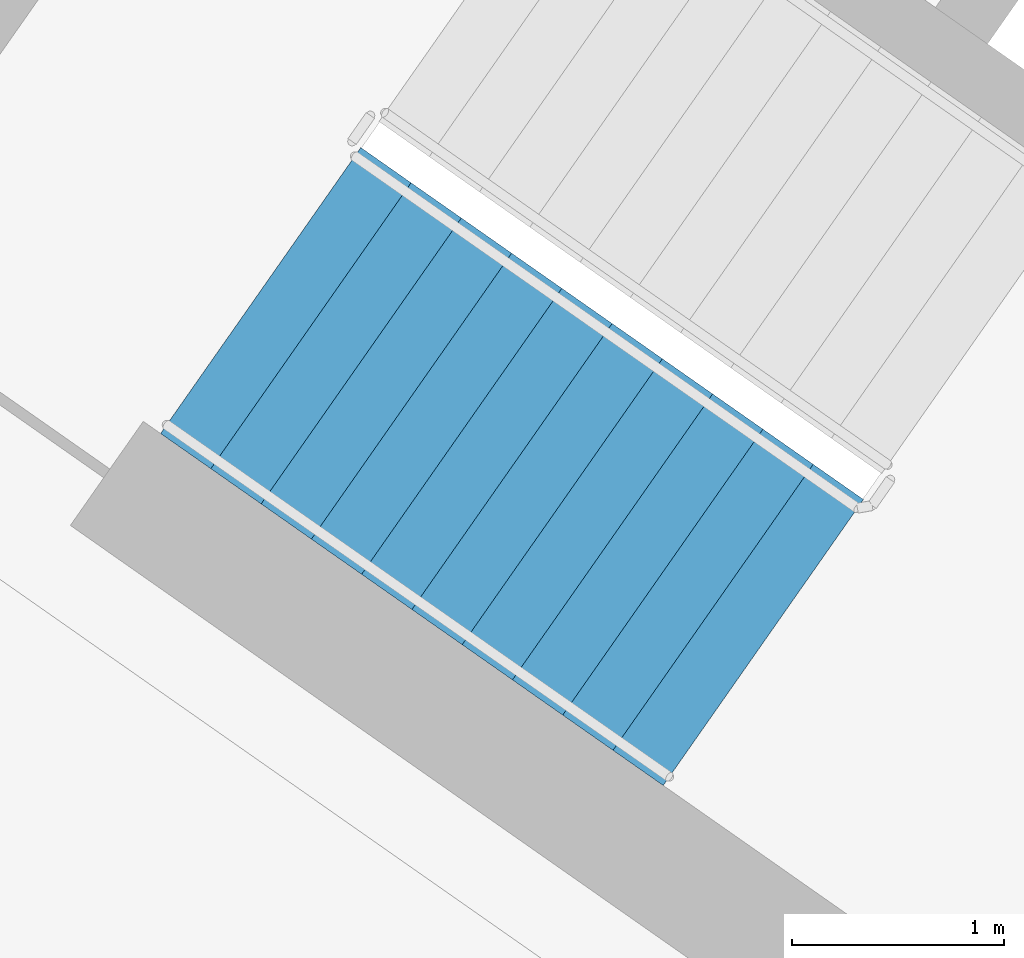
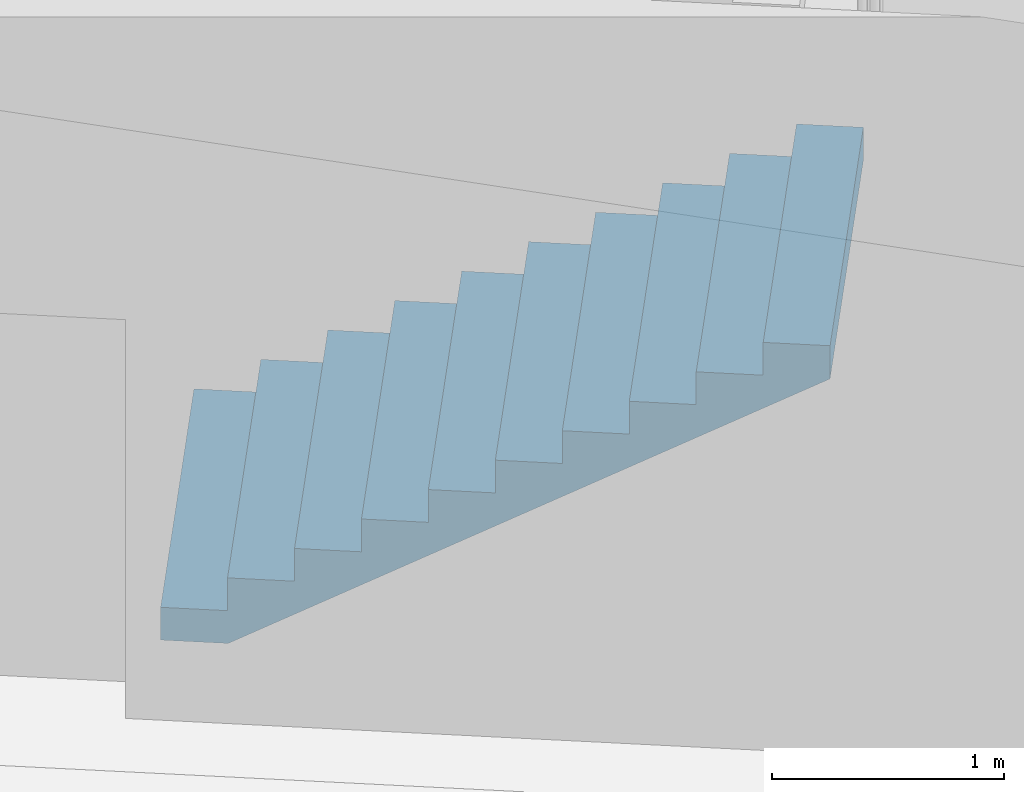
# One storey, part 11 of 26: 1 stair flight, 1 element without a shape of its own.
"""IFC4 building model written with IfcOpenShell, lengths in metres."""

from ifc_helpers import new_model, si_unit, direction, frame, origin, place, context, subcontext, project, spatial, faceted_brep, material, type_object, element, aggregate, save


model = new_model("IFC4")

# Units and contexts
model_context = context("Model", 3, precision=1e-05, world=origin(), true_north=direction((0.0, 1.0)))
body_context = subcontext(model_context, "Body", "Model", "MODEL_VIEW")
ifc_project = project(units=[si_unit("LENGTHUNIT", "METRE"), si_unit("AREAUNIT", "SQUARE_METRE"), si_unit("VOLUMEUNIT", "CUBIC_METRE"), si_unit("PLANEANGLEUNIT", "RADIAN"), si_unit("MASSUNIT", "GRAM", prefix="KILO")], contexts=[model_context])

# Site, building, storey
site_placement = place(None, origin())
site = spatial("IfcSite", under=ifc_project, at=site_placement, CompositionType="ELEMENT")
building_placement = place(site_placement, origin())
building = spatial("IfcBuilding", under=site, at=building_placement, Name="Qamariyya Broadcast Tower", CompositionType="ELEMENT")
storey_placement = place(building_placement, frame((0.0, 0.0, 183.5)))
storey = spatial("IfcBuildingStorey", under=building, at=storey_placement, Name="L43", CompositionType="ELEMENT", Elevation=183.5)

# Stair, stair flight
ifc_material = material(Name="Concrete C50/60", Category="concrete")
stair_type = type_object("IfcStairType", Name="Exit stair 22 risers of 173 mm", PredefinedType="HALF_TURN_STAIR", material=ifc_material)
stair_placement = place(storey_placement, origin())
stair = element("IfcStair", 1, at=stair_placement, inside=storey, type_object=stair_type, Name="L43 Stair W1", PredefinedType="HALF_TURN_STAIR")
stair_flight_type = type_object("IfcStairFlightType", Name="Exit stair flight 11 risers of 173 mm", PredefinedType="STRAIGHT", material=ifc_material)
stair_flight_placement = place(storey_placement, frame((-47.06884765625, -56.982666015625, 0.0), z_axis=(0.0, 0.0, 1.0), x_axis=(0.819152044289, -0.573576436351, 0.0)))
stair_flight = element("IfcStairFlight", 2, at=stair_flight_placement, type_object=stair_flight_type, Name="ST-W1 flight 1", NumberOfRisers=11, NumberOfTreads=10, PredefinedType="STRAIGHT", RiserHeight=0.172727273, TreadLength=0.29, context=body_context, shape_type="Brep", body=[
    faceted_brep([(0.0, 0.824951171875, 0.0), (0.0, 0.824951171875, 0.172607421875), (0.2900390625, 0.824951171875, 0.172607421875), (0.2900390625, 0.824951171875, 0.345458984375), (0.580078125, 0.824951171875, 0.345458984375), (0.580078125, 0.824951171875, 0.51806640625), (0.8701171875, 0.824951171875, 0.51806640625), (0.8701171875, 0.824951171875, 0.69091796875), (1.159912109375, 0.824951171875, 0.69091796875), (1.159912109375, 0.824951171875, 0.863525390625), (1.449951171875, 0.824951171875, 0.863525390625), (1.449951171875, 0.824951171875, 1.036376953125), (1.739990234375, 0.824951171875, 1.036376953125), (1.739990234375, 0.824951171875, 1.208984375), (2.030029296875, 0.824951171875, 1.208984375), (2.030029296875, 0.824951171875, 1.3818359375), (2.320068359375, 0.824951171875, 1.3818359375), (2.320068359375, 0.824951171875, 1.554443359375), (2.610107421875, 0.824951171875, 1.554443359375), (2.610107421875, 0.824951171875, 1.727294921875), (2.89990234375, 0.824951171875, 1.727294921875), (2.89990234375, 0.824951171875, 1.552734375), (0.29296875, 0.824951171875, 0.0), (0.29296875, -0.824951171875, 0.0), (2.89990234375, -0.824951171875, 1.552734375), (2.89990234375, -0.824951171875, 1.727294921875), (2.610107421875, -0.824951171875, 1.727294921875), (2.610107421875, -0.824951171875, 1.554443359375), (2.320068359375, -0.824951171875, 1.554443359375), (2.320068359375, -0.824951171875, 1.3818359375), (2.030029296875, -0.824951171875, 1.3818359375), (2.030029296875, -0.824951171875, 1.208984375), (1.739990234375, -0.824951171875, 1.208984375), (1.739990234375, -0.824951171875, 1.036376953125), (1.449951171875, -0.824951171875, 1.036376953125), (1.449951171875, -0.824951171875, 0.863525390625), (1.159912109375, -0.824951171875, 0.863525390625), (1.159912109375, -0.824951171875, 0.69091796875), (0.8701171875, -0.824951171875, 0.69091796875), (0.8701171875, -0.824951171875, 0.51806640625), (0.580078125, -0.824951171875, 0.51806640625), (0.580078125, -0.824951171875, 0.345458984375), (0.2900390625, -0.824951171875, 0.345458984375), (0.2900390625, -0.824951171875, 0.172607421875), (0.0, -0.824951171875, 0.172607421875), (0.0, -0.824951171875, 0.0), (0.0, 0.10009765625, 0.0), (0.0, 0.086669921875, 0.0), (0.0, 0.0732421875, 0.0), (0.0, 0.06005859375, 0.0), (0.0, 0.046630859375, 0.0), (0.0, 0.033447265625, 0.0), (0.0, 0.02001953125, 0.0), (0.0, 0.006591796875, 0.0), (0.0, -0.006591796875, 0.0), (0.0, -0.02001953125, 0.0), (0.0, -0.033447265625, 0.0), (0.0, -0.046630859375, 0.0), (0.0, -0.06005859375, 0.0), (0.0, -0.0732421875, 0.0), (0.0, -0.086669921875, 0.0), (0.0, -0.10009765625, 0.0), (0.0, -0.10009765625, 0.172607421875), (0.0, -0.086669921875, 0.172607421875), (0.0, -0.0732421875, 0.172607421875), (0.0, -0.06005859375, 0.172607421875), (0.0, -0.046630859375, 0.172607421875), (0.0, -0.033447265625, 0.172607421875), (0.0, -0.02001953125, 0.172607421875), (0.0, -0.006591796875, 0.172607421875), (0.0, 0.006591796875, 0.172607421875), (0.0, 0.02001953125, 0.172607421875), (0.0, 0.033447265625, 0.172607421875), (0.0, 0.046630859375, 0.172607421875), (0.0, 0.06005859375, 0.172607421875), (0.0, 0.0732421875, 0.172607421875), (0.0, 0.086669921875, 0.172607421875), (0.0, 0.10009765625, 0.172607421875), (0.2900390625, -0.10009765625, 0.172607421875), (0.2900390625, -0.086669921875, 0.172607421875), (0.2900390625, -0.0732421875, 0.172607421875), (0.2900390625, -0.06005859375, 0.172607421875), (0.2900390625, -0.046630859375, 0.172607421875), (0.2900390625, -0.033447265625, 0.172607421875), (0.2900390625, -0.02001953125, 0.172607421875), (0.2900390625, -0.006591796875, 0.172607421875), (0.2900390625, 0.006591796875, 0.172607421875), (0.2900390625, 0.02001953125, 0.172607421875), (0.2900390625, 0.033447265625, 0.172607421875), (0.2900390625, 0.046630859375, 0.172607421875), (0.2900390625, 0.06005859375, 0.172607421875), (0.2900390625, 0.0732421875, 0.172607421875), (0.2900390625, 0.086669921875, 0.172607421875), (0.2900390625, 0.10009765625, 0.172607421875), (0.2900390625, -0.10009765625, 0.345458984375), (0.2900390625, -0.086669921875, 0.345458984375), (0.2900390625, -0.0732421875, 0.345458984375), (0.2900390625, -0.06005859375, 0.345458984375), (0.2900390625, -0.046630859375, 0.345458984375), (0.2900390625, -0.033447265625, 0.345458984375), (0.2900390625, -0.02001953125, 0.345458984375), (0.2900390625, -0.006591796875, 0.345458984375), (0.2900390625, 0.006591796875, 0.345458984375), (0.2900390625, 0.02001953125, 0.345458984375), (0.2900390625, 0.033447265625, 0.345458984375), (0.2900390625, 0.046630859375, 0.345458984375), (0.2900390625, 0.06005859375, 0.345458984375), (0.2900390625, 0.0732421875, 0.345458984375), (0.2900390625, 0.086669921875, 0.345458984375), (0.2900390625, 0.10009765625, 0.345458984375), (0.580078125, -0.10009765625, 0.345458984375), (0.580078125, -0.086669921875, 0.345458984375), (0.580078125, -0.0732421875, 0.345458984375), (0.580078125, -0.06005859375, 0.345458984375), (0.580078125, -0.046630859375, 0.345458984375), (0.580078125, -0.033447265625, 0.345458984375), (0.580078125, -0.02001953125, 0.345458984375), (0.580078125, -0.006591796875, 0.345458984375), (0.580078125, 0.006591796875, 0.345458984375), (0.580078125, 0.02001953125, 0.345458984375), (0.580078125, 0.033447265625, 0.345458984375), (0.580078125, 0.046630859375, 0.345458984375), (0.580078125, 0.06005859375, 0.345458984375), (0.580078125, 0.0732421875, 0.345458984375), (0.580078125, 0.086669921875, 0.345458984375), (0.580078125, 0.10009765625, 0.345458984375), (0.580078125, -0.10009765625, 0.51806640625), (0.580078125, -0.086669921875, 0.51806640625), (0.580078125, -0.0732421875, 0.51806640625), (0.580078125, -0.06005859375, 0.51806640625), (0.580078125, -0.046630859375, 0.51806640625), (0.580078125, -0.033447265625, 0.51806640625), (0.580078125, -0.02001953125, 0.51806640625), (0.580078125, -0.006591796875, 0.51806640625), (0.580078125, 0.006591796875, 0.51806640625), (0.580078125, 0.02001953125, 0.51806640625), (0.580078125, 0.033447265625, 0.51806640625), (0.580078125, 0.046630859375, 0.51806640625), (0.580078125, 0.06005859375, 0.51806640625), (0.580078125, 0.0732421875, 0.51806640625), (0.580078125, 0.086669921875, 0.51806640625), (0.580078125, 0.10009765625, 0.51806640625), (0.8701171875, -0.10009765625, 0.51806640625), (0.8701171875, -0.086669921875, 0.51806640625), (0.8701171875, -0.0732421875, 0.51806640625), (0.8701171875, -0.06005859375, 0.51806640625), (0.8701171875, -0.046630859375, 0.51806640625), (0.8701171875, -0.033447265625, 0.51806640625), (0.8701171875, -0.02001953125, 0.51806640625), (0.8701171875, -0.006591796875, 0.51806640625), (0.8701171875, 0.006591796875, 0.51806640625), (0.8701171875, 0.02001953125, 0.51806640625), (0.8701171875, 0.033447265625, 0.51806640625), (0.8701171875, 0.046630859375, 0.51806640625), (0.8701171875, 0.06005859375, 0.51806640625), (0.8701171875, 0.0732421875, 0.51806640625), (0.8701171875, 0.086669921875, 0.51806640625), (0.8701171875, 0.10009765625, 0.51806640625), (0.8701171875, -0.10009765625, 0.69091796875), (0.8701171875, -0.086669921875, 0.69091796875), (0.8701171875, -0.0732421875, 0.69091796875), (0.8701171875, -0.06005859375, 0.69091796875), (0.8701171875, -0.046630859375, 0.69091796875), (0.8701171875, -0.033447265625, 0.69091796875), (0.8701171875, -0.02001953125, 0.69091796875), (0.8701171875, -0.006591796875, 0.69091796875), (0.8701171875, 0.006591796875, 0.69091796875), (0.8701171875, 0.02001953125, 0.69091796875), (0.8701171875, 0.033447265625, 0.69091796875), (0.8701171875, 0.046630859375, 0.69091796875), (0.8701171875, 0.06005859375, 0.69091796875), (0.8701171875, 0.0732421875, 0.69091796875), (0.8701171875, 0.086669921875, 0.69091796875), (0.8701171875, 0.10009765625, 0.69091796875), (1.159912109375, -0.10009765625, 0.69091796875), (1.159912109375, -0.086669921875, 0.69091796875), (1.159912109375, -0.0732421875, 0.69091796875), (1.159912109375, -0.06005859375, 0.69091796875), (1.159912109375, -0.046630859375, 0.69091796875), (1.159912109375, -0.033447265625, 0.69091796875), (1.159912109375, -0.02001953125, 0.69091796875), (1.159912109375, -0.006591796875, 0.69091796875), (1.159912109375, 0.006591796875, 0.69091796875), (1.159912109375, 0.02001953125, 0.69091796875), (1.159912109375, 0.033447265625, 0.69091796875), (1.159912109375, 0.046630859375, 0.69091796875), (1.159912109375, 0.06005859375, 0.69091796875), (1.159912109375, 0.0732421875, 0.69091796875), (1.159912109375, 0.086669921875, 0.69091796875), (1.159912109375, 0.10009765625, 0.69091796875), (1.159912109375, -0.10009765625, 0.863525390625), (1.159912109375, -0.086669921875, 0.863525390625), (1.159912109375, -0.0732421875, 0.863525390625), (1.159912109375, -0.06005859375, 0.863525390625), (1.159912109375, -0.046630859375, 0.863525390625), (1.159912109375, -0.033447265625, 0.863525390625), (1.159912109375, -0.02001953125, 0.863525390625), (1.159912109375, -0.006591796875, 0.863525390625), (1.159912109375, 0.006591796875, 0.863525390625), (1.159912109375, 0.02001953125, 0.863525390625), (1.159912109375, 0.033447265625, 0.863525390625), (1.159912109375, 0.046630859375, 0.863525390625), (1.159912109375, 0.06005859375, 0.863525390625), (1.159912109375, 0.0732421875, 0.863525390625), (1.159912109375, 0.086669921875, 0.863525390625), (1.159912109375, 0.10009765625, 0.863525390625), (1.449951171875, -0.10009765625, 0.863525390625), (1.449951171875, -0.086669921875, 0.863525390625), (1.449951171875, -0.0732421875, 0.863525390625), (1.449951171875, -0.06005859375, 0.863525390625), (1.449951171875, -0.046630859375, 0.863525390625), (1.449951171875, -0.033447265625, 0.863525390625), (1.449951171875, -0.02001953125, 0.863525390625), (1.449951171875, -0.006591796875, 0.863525390625), (1.449951171875, 0.006591796875, 0.863525390625), (1.449951171875, 0.02001953125, 0.863525390625), (1.449951171875, 0.033447265625, 0.863525390625), (1.449951171875, 0.046630859375, 0.863525390625), (1.449951171875, 0.06005859375, 0.863525390625), (1.449951171875, 0.0732421875, 0.863525390625), (1.449951171875, 0.086669921875, 0.863525390625), (1.449951171875, 0.10009765625, 0.863525390625), (1.449951171875, -0.10009765625, 1.036376953125), (1.449951171875, -0.086669921875, 1.036376953125), (1.449951171875, -0.0732421875, 1.036376953125), (1.449951171875, -0.06005859375, 1.036376953125), (1.449951171875, -0.046630859375, 1.036376953125), (1.449951171875, -0.033447265625, 1.036376953125), (1.449951171875, -0.02001953125, 1.036376953125), (1.449951171875, -0.006591796875, 1.036376953125), (1.449951171875, 0.006591796875, 1.036376953125), (1.449951171875, 0.02001953125, 1.036376953125), (1.449951171875, 0.033447265625, 1.036376953125), (1.449951171875, 0.046630859375, 1.036376953125), (1.449951171875, 0.06005859375, 1.036376953125), (1.449951171875, 0.0732421875, 1.036376953125), (1.449951171875, 0.086669921875, 1.036376953125), (1.449951171875, 0.10009765625, 1.036376953125), (1.739990234375, -0.10009765625, 1.036376953125), (1.739990234375, -0.086669921875, 1.036376953125), (1.739990234375, -0.0732421875, 1.036376953125), (1.739990234375, -0.06005859375, 1.036376953125), (1.739990234375, -0.046630859375, 1.036376953125), (1.739990234375, -0.033447265625, 1.036376953125), (1.739990234375, -0.02001953125, 1.036376953125), (1.739990234375, -0.006591796875, 1.036376953125), (1.739990234375, 0.006591796875, 1.036376953125), (1.739990234375, 0.02001953125, 1.036376953125), (1.739990234375, 0.033447265625, 1.036376953125), (1.739990234375, 0.046630859375, 1.036376953125), (1.739990234375, 0.06005859375, 1.036376953125), (1.739990234375, 0.0732421875, 1.036376953125), (1.739990234375, 0.086669921875, 1.036376953125), (1.739990234375, 0.10009765625, 1.036376953125), (1.739990234375, -0.10009765625, 1.208984375), (1.739990234375, -0.086669921875, 1.208984375), (1.739990234375, -0.0732421875, 1.208984375), (1.739990234375, -0.06005859375, 1.208984375), (1.739990234375, -0.046630859375, 1.208984375), (1.739990234375, -0.033447265625, 1.208984375), (1.739990234375, -0.02001953125, 1.208984375), (1.739990234375, -0.006591796875, 1.208984375), (1.739990234375, 0.006591796875, 1.208984375), (1.739990234375, 0.02001953125, 1.208984375), (1.739990234375, 0.033447265625, 1.208984375), (1.739990234375, 0.046630859375, 1.208984375), (1.739990234375, 0.06005859375, 1.208984375), (1.739990234375, 0.0732421875, 1.208984375), (1.739990234375, 0.086669921875, 1.208984375), (1.739990234375, 0.10009765625, 1.208984375), (2.030029296875, -0.10009765625, 1.208984375), (2.030029296875, -0.086669921875, 1.208984375), (2.030029296875, -0.0732421875, 1.208984375), (2.030029296875, -0.06005859375, 1.208984375), (2.030029296875, -0.046630859375, 1.208984375), (2.030029296875, -0.033447265625, 1.208984375), (2.030029296875, -0.02001953125, 1.208984375), (2.030029296875, -0.006591796875, 1.208984375), (2.030029296875, 0.006591796875, 1.208984375), (2.030029296875, 0.02001953125, 1.208984375), (2.030029296875, 0.033447265625, 1.208984375), (2.030029296875, 0.046630859375, 1.208984375), (2.030029296875, 0.06005859375, 1.208984375), (2.030029296875, 0.0732421875, 1.208984375), (2.030029296875, 0.086669921875, 1.208984375), (2.030029296875, 0.10009765625, 1.208984375), (2.030029296875, -0.10009765625, 1.3818359375), (2.030029296875, -0.086669921875, 1.3818359375), (2.030029296875, -0.0732421875, 1.3818359375), (2.030029296875, -0.06005859375, 1.3818359375), (2.030029296875, -0.046630859375, 1.3818359375), (2.030029296875, -0.033447265625, 1.3818359375), (2.030029296875, -0.02001953125, 1.3818359375), (2.030029296875, -0.006591796875, 1.3818359375), (2.030029296875, 0.006591796875, 1.3818359375), (2.030029296875, 0.02001953125, 1.3818359375), (2.030029296875, 0.033447265625, 1.3818359375), (2.030029296875, 0.046630859375, 1.3818359375), (2.030029296875, 0.06005859375, 1.3818359375), (2.030029296875, 0.0732421875, 1.3818359375), (2.030029296875, 0.086669921875, 1.3818359375), (2.030029296875, 0.10009765625, 1.3818359375), (2.320068359375, -0.10009765625, 1.3818359375), (2.320068359375, -0.086669921875, 1.3818359375), (2.320068359375, -0.0732421875, 1.3818359375), (2.320068359375, -0.06005859375, 1.3818359375), (2.320068359375, -0.046630859375, 1.3818359375), (2.320068359375, -0.033447265625, 1.3818359375), (2.320068359375, -0.02001953125, 1.3818359375), (2.320068359375, -0.006591796875, 1.3818359375), (2.320068359375, 0.006591796875, 1.3818359375), (2.320068359375, 0.02001953125, 1.3818359375), (2.320068359375, 0.033447265625, 1.3818359375), (2.320068359375, 0.046630859375, 1.3818359375), (2.320068359375, 0.06005859375, 1.3818359375), (2.320068359375, 0.0732421875, 1.3818359375), (2.320068359375, 0.086669921875, 1.3818359375), (2.320068359375, 0.10009765625, 1.3818359375), (2.320068359375, -0.10009765625, 1.554443359375), (2.320068359375, -0.086669921875, 1.554443359375), (2.320068359375, -0.0732421875, 1.554443359375), (2.320068359375, -0.06005859375, 1.554443359375), (2.320068359375, -0.046630859375, 1.554443359375), (2.320068359375, -0.033447265625, 1.554443359375), (2.320068359375, -0.02001953125, 1.554443359375), (2.320068359375, -0.006591796875, 1.554443359375), (2.320068359375, 0.006591796875, 1.554443359375), (2.320068359375, 0.02001953125, 1.554443359375), (2.320068359375, 0.033447265625, 1.554443359375), (2.320068359375, 0.046630859375, 1.554443359375), (2.320068359375, 0.06005859375, 1.554443359375), (2.320068359375, 0.0732421875, 1.554443359375), (2.320068359375, 0.086669921875, 1.554443359375), (2.320068359375, 0.10009765625, 1.554443359375), (2.610107421875, -0.10009765625, 1.554443359375), (2.610107421875, -0.086669921875, 1.554443359375), (2.610107421875, -0.0732421875, 1.554443359375), (2.610107421875, -0.06005859375, 1.554443359375), (2.610107421875, -0.046630859375, 1.554443359375), (2.610107421875, -0.033447265625, 1.554443359375), (2.610107421875, -0.02001953125, 1.554443359375), (2.610107421875, -0.006591796875, 1.554443359375), (2.610107421875, 0.006591796875, 1.554443359375), (2.610107421875, 0.02001953125, 1.554443359375), (2.610107421875, 0.033447265625, 1.554443359375), (2.610107421875, 0.046630859375, 1.554443359375), (2.610107421875, 0.06005859375, 1.554443359375), (2.610107421875, 0.0732421875, 1.554443359375), (2.610107421875, 0.086669921875, 1.554443359375), (2.610107421875, 0.10009765625, 1.554443359375), (2.610107421875, -0.10009765625, 1.727294921875), (2.610107421875, -0.086669921875, 1.727294921875), (2.610107421875, -0.0732421875, 1.727294921875), (2.610107421875, -0.06005859375, 1.727294921875), (2.610107421875, -0.046630859375, 1.727294921875), (2.610107421875, -0.033447265625, 1.727294921875), (2.610107421875, -0.02001953125, 1.727294921875), (2.610107421875, -0.006591796875, 1.727294921875), (2.610107421875, 0.006591796875, 1.727294921875), (2.610107421875, 0.02001953125, 1.727294921875), (2.610107421875, 0.033447265625, 1.727294921875), (2.610107421875, 0.046630859375, 1.727294921875), (2.610107421875, 0.06005859375, 1.727294921875), (2.610107421875, 0.0732421875, 1.727294921875), (2.610107421875, 0.086669921875, 1.727294921875), (2.610107421875, 0.10009765625, 1.727294921875), (2.89990234375, -0.10009765625, 1.727294921875), (2.89990234375, -0.086669921875, 1.727294921875), (2.89990234375, -0.0732421875, 1.727294921875), (2.89990234375, -0.06005859375, 1.727294921875), (2.89990234375, -0.046630859375, 1.727294921875), (2.89990234375, -0.033447265625, 1.727294921875), (2.89990234375, -0.02001953125, 1.727294921875), (2.89990234375, -0.006591796875, 1.727294921875), (2.89990234375, 0.006591796875, 1.727294921875), (2.89990234375, 0.02001953125, 1.727294921875), (2.89990234375, 0.033447265625, 1.727294921875), (2.89990234375, 0.046630859375, 1.727294921875), (2.89990234375, 0.06005859375, 1.727294921875), (2.89990234375, 0.0732421875, 1.727294921875), (2.89990234375, 0.086669921875, 1.727294921875), (2.89990234375, 0.10009765625, 1.727294921875), (2.89990234375, -0.10009765625, 1.552734375), (2.89990234375, -0.086669921875, 1.552734375), (2.89990234375, -0.0732421875, 1.552734375), (2.89990234375, -0.06005859375, 1.552734375), (2.89990234375, -0.046630859375, 1.552734375), (2.89990234375, -0.033447265625, 1.552734375), (2.89990234375, -0.02001953125, 1.552734375), (2.89990234375, -0.006591796875, 1.552734375), (2.89990234375, 0.006591796875, 1.552734375), (2.89990234375, 0.02001953125, 1.552734375), (2.89990234375, 0.033447265625, 1.552734375), (2.89990234375, 0.046630859375, 1.552734375), (2.89990234375, 0.06005859375, 1.552734375), (2.89990234375, 0.0732421875, 1.552734375), (2.89990234375, 0.086669921875, 1.552734375), (2.89990234375, 0.10009765625, 1.552734375), (0.29296875, -0.10009765625, 0.0), (0.29296875, -0.086669921875, 0.0), (0.29296875, -0.0732421875, 0.0), (0.29296875, -0.06005859375, 0.0), (0.29296875, -0.046630859375, 0.0), (0.29296875, -0.033447265625, 0.0), (0.29296875, -0.02001953125, 0.0), (0.29296875, -0.006591796875, 0.0), (0.29296875, 0.006591796875, 0.0), (0.29296875, 0.02001953125, 0.0), (0.29296875, 0.033447265625, 0.0), (0.29296875, 0.046630859375, 0.0), (0.29296875, 0.06005859375, 0.0), (0.29296875, 0.0732421875, 0.0), (0.29296875, 0.086669921875, 0.0), (0.29296875, 0.10009765625, 0.0)], [[[0, 1, 2, 3, 4, 5, 6, 7, 8, 9, 10, 11, 12, 13, 14, 15, 16, 17, 18, 19, 20, 21, 22]], [[23, 24, 25, 26, 27, 28, 29, 30, 31, 32, 33, 34, 35, 36, 37, 38, 39, 40, 41, 42, 43, 44, 45]], [[0, 46, 47, 48, 49, 50, 51, 52, 53, 54, 55, 56, 57, 58, 59, 60, 61, 45, 44, 62, 63, 64, 65, 66, 67, 68, 69, 70, 71, 72, 73, 74, 75, 76, 77, 1]], [[1, 77, 76, 75, 74, 73, 72, 71, 70, 69, 68, 67, 66, 65, 64, 63, 62, 44, 43, 78, 79, 80, 81, 82, 83, 84, 85, 86, 87, 88, 89, 90, 91, 92, 93, 2]], [[2, 93, 92, 91, 90, 89, 88, 87, 86, 85, 84, 83, 82, 81, 80, 79, 78, 43, 42, 94, 95, 96, 97, 98, 99, 100, 101, 102, 103, 104, 105, 106, 107, 108, 109, 3]], [[3, 109, 108, 107, 106, 105, 104, 103, 102, 101, 100, 99, 98, 97, 96, 95, 94, 42, 41, 110, 111, 112, 113, 114, 115, 116, 117, 118, 119, 120, 121, 122, 123, 124, 125, 4]], [[4, 125, 124, 123, 122, 121, 120, 119, 118, 117, 116, 115, 114, 113, 112, 111, 110, 41, 40, 126, 127, 128, 129, 130, 131, 132, 133, 134, 135, 136, 137, 138, 139, 140, 141, 5]], [[5, 141, 140, 139, 138, 137, 136, 135, 134, 133, 132, 131, 130, 129, 128, 127, 126, 40, 39, 142, 143, 144, 145, 146, 147, 148, 149, 150, 151, 152, 153, 154, 155, 156, 157, 6]], [[6, 157, 156, 155, 154, 153, 152, 151, 150, 149, 148, 147, 146, 145, 144, 143, 142, 39, 38, 158, 159, 160, 161, 162, 163, 164, 165, 166, 167, 168, 169, 170, 171, 172, 173, 7]], [[7, 173, 172, 171, 170, 169, 168, 167, 166, 165, 164, 163, 162, 161, 160, 159, 158, 38, 37, 174, 175, 176, 177, 178, 179, 180, 181, 182, 183, 184, 185, 186, 187, 188, 189, 8]], [[8, 189, 188, 187, 186, 185, 184, 183, 182, 181, 180, 179, 178, 177, 176, 175, 174, 37, 36, 190, 191, 192, 193, 194, 195, 196, 197, 198, 199, 200, 201, 202, 203, 204, 205, 9]], [[9, 205, 204, 203, 202, 201, 200, 199, 198, 197, 196, 195, 194, 193, 192, 191, 190, 36, 35, 206, 207, 208, 209, 210, 211, 212, 213, 214, 215, 216, 217, 218, 219, 220, 221, 10]], [[10, 221, 220, 219, 218, 217, 216, 215, 214, 213, 212, 211, 210, 209, 208, 207, 206, 35, 34, 222, 223, 224, 225, 226, 227, 228, 229, 230, 231, 232, 233, 234, 235, 236, 237, 11]], [[11, 237, 236, 235, 234, 233, 232, 231, 230, 229, 228, 227, 226, 225, 224, 223, 222, 34, 33, 238, 239, 240, 241, 242, 243, 244, 245, 246, 247, 248, 249, 250, 251, 252, 253, 12]], [[12, 253, 252, 251, 250, 249, 248, 247, 246, 245, 244, 243, 242, 241, 240, 239, 238, 33, 32, 254, 255, 256, 257, 258, 259, 260, 261, 262, 263, 264, 265, 266, 267, 268, 269, 13]], [[13, 269, 268, 267, 266, 265, 264, 263, 262, 261, 260, 259, 258, 257, 256, 255, 254, 32, 31, 270, 271, 272, 273, 274, 275, 276, 277, 278, 279, 280, 281, 282, 283, 284, 285, 14]], [[14, 285, 284, 283, 282, 281, 280, 279, 278, 277, 276, 275, 274, 273, 272, 271, 270, 31, 30, 286, 287, 288, 289, 290, 291, 292, 293, 294, 295, 296, 297, 298, 299, 300, 301, 15]], [[15, 301, 300, 299, 298, 297, 296, 295, 294, 293, 292, 291, 290, 289, 288, 287, 286, 30, 29, 302, 303, 304, 305, 306, 307, 308, 309, 310, 311, 312, 313, 314, 315, 316, 317, 16]], [[16, 317, 316, 315, 314, 313, 312, 311, 310, 309, 308, 307, 306, 305, 304, 303, 302, 29, 28, 318, 319, 320, 321, 322, 323, 324, 325, 326, 327, 328, 329, 330, 331, 332, 333, 17]], [[17, 333, 332, 331, 330, 329, 328, 327, 326, 325, 324, 323, 322, 321, 320, 319, 318, 28, 27, 334, 335, 336, 337, 338, 339, 340, 341, 342, 343, 344, 345, 346, 347, 348, 349, 18]], [[18, 349, 348, 347, 346, 345, 344, 343, 342, 341, 340, 339, 338, 337, 336, 335, 334, 27, 26, 350, 351, 352, 353, 354, 355, 356, 357, 358, 359, 360, 361, 362, 363, 364, 365, 19]], [[19, 365, 364, 363, 362, 361, 360, 359, 358, 357, 356, 355, 354, 353, 352, 351, 350, 26, 25, 366, 367, 368, 369, 370, 371, 372, 373, 374, 375, 376, 377, 378, 379, 380, 381, 20]], [[20, 381, 380, 379, 378, 377, 376, 375, 374, 373, 372, 371, 370, 369, 368, 367, 366, 25, 24, 382, 383, 384, 385, 386, 387, 388, 389, 390, 391, 392, 393, 394, 395, 396, 397, 21]], [[21, 397, 396, 395, 394, 393, 392, 391, 390, 389, 388, 387, 386, 385, 384, 383, 382, 24, 23, 398, 399, 400, 401, 402, 403, 404, 405, 406, 407, 408, 409, 410, 411, 412, 413, 22]], [[22, 413, 412, 411, 410, 409, 408, 407, 406, 405, 404, 403, 402, 401, 400, 399, 398, 23, 45, 61, 60, 59, 58, 57, 56, 55, 54, 53, 52, 51, 50, 49, 48, 47, 46, 0]]]),
])
aggregate(stair, [stair_flight])

save(model, "model.ifc")
